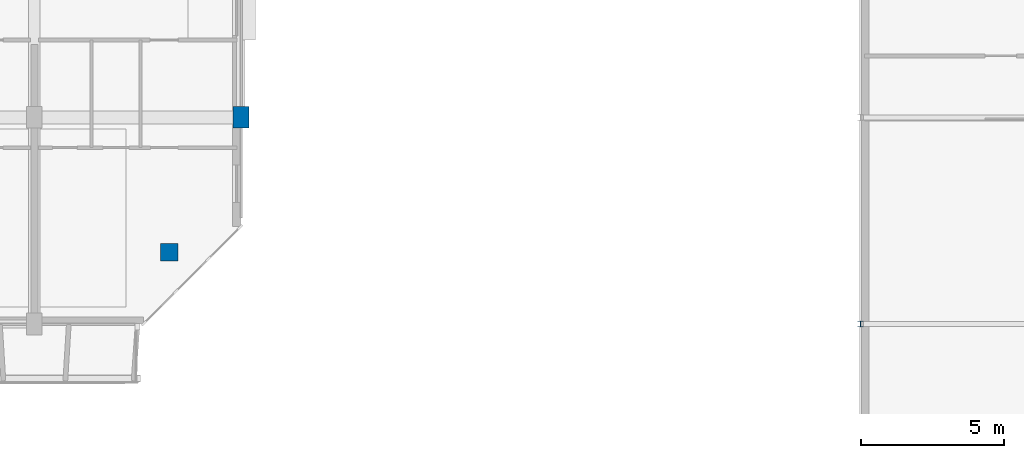
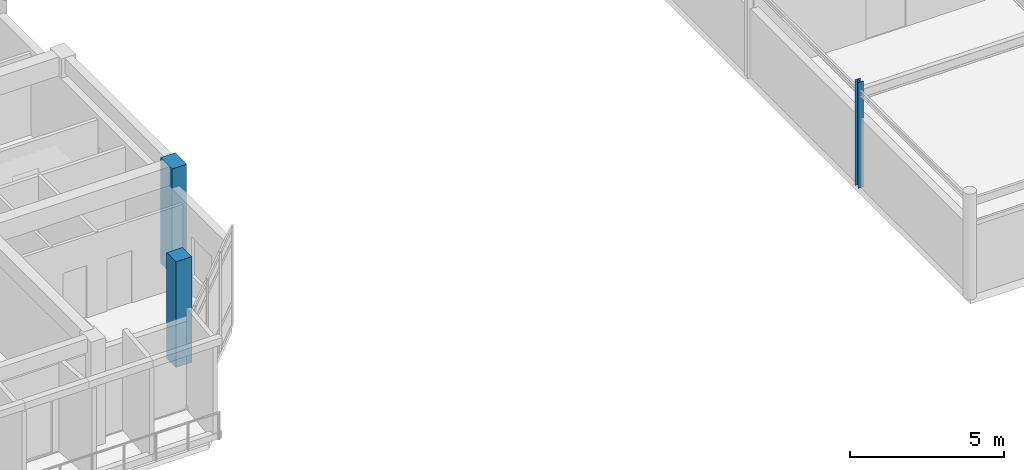
# One storey, part 2 of 85: 3 columns.
"""IFC4 building model written with IfcOpenShell, lengths in metres."""

import ifcopenshell
import ifcopenshell.guid

model = None  # the IFC model being written
_history = None  # IfcOwnerHistory: only IFC2X3 demands one
_inside = {}  # id of a spatial element -> (the spatial element, [elements in it])
_under = {}  # id of a project, library or spatial element -> (it, [spatial elements below it])
_declared = {}  # id of a project -> (the project, [libraries it declares])
_typed = {}  # id of a type object -> (the type object, [elements of that type])
_made_of = {}  # id of a material, layer set ... -> (it, [elements and type objects made of it])


def new_model(schema):
    """Start an empty IFC model of exactly this schema.

    Asked for "IFC4X3", IfcOpenShell would pick the latest addendum, in which some entities
    have other attributes; the version numbers below select the first issue.
    IFC2X3 requires an IfcOwnerHistory on every rooted entity: one is made here for all.
    """
    global model, _history
    if schema == "IFC4X3":
        model = ifcopenshell.file(schema_version=(4, 3, 0, 0))
    else:
        model = ifcopenshell.file(schema=schema)
    _inside.clear()
    _under.clear()
    _declared.clear()
    _typed.clear()
    _made_of.clear()
    _history = None
    if model.schema == "IFC2X3":
        org = make("IfcOrganization", Name="unknown")
        user = make(
            "IfcPersonAndOrganization",
            ThePerson=make("IfcPerson", FamilyName="unknown"),
            TheOrganization=org,
        )
        app = make(
            "IfcApplication",
            ApplicationDeveloper=org,
            Version="unknown",
            ApplicationFullName="unknown",
            ApplicationIdentifier="unknown",
        )
        _history = make(
            "IfcOwnerHistory",
            OwningUser=user,
            OwningApplication=app,
            ChangeAction="ADDED",
            CreationDate=0,
        )
    return model


def make(cls, **values):
    """One entity of the class cls with the attributes given. An attribute that is None is left unset."""
    return model.create_entity(
        cls, **{name: value for name, value in values.items() if value is not None}
    )


def rooted(cls, **values):
    """An entity with a GlobalId (a new one), such as an element, a storey or a relation."""
    return make(cls, GlobalId=ifcopenshell.guid.new(), OwnerHistory=_history, **values)


def si_unit(unit_type, name, prefix=None):
    """IfcSIUnit, for example si_unit("LENGTHUNIT", "METRE", prefix="MILLI")."""
    return make("IfcSIUnit", UnitType=unit_type, Prefix=prefix, Name=name)


def assignment(units):
    """IfcUnitAssignment: the units of a project."""
    return None if units is None else make("IfcUnitAssignment", Units=units)


def point(xyz):
    """IfcCartesianPoint."""
    return None if xyz is None else make("IfcCartesianPoint", Coordinates=xyz)


def direction(xyz):
    """IfcDirection."""
    return None if xyz is None else make("IfcDirection", DirectionRatios=xyz)


def frame(location, z_axis=None, x_axis=None):
    """IfcAxis2Placement3D, a coordinate frame: its origin and axes. An axis left out is left unset."""
    return make(
        "IfcAxis2Placement3D",
        Location=point(location),
        Axis=direction(z_axis),
        RefDirection=direction(x_axis),
    )


def frame_2d(location, x_axis=None):
    """IfcAxis2Placement2D, a coordinate frame in the plane: its origin and x axis."""
    return make(
        "IfcAxis2Placement2D", Location=point(location), RefDirection=direction(x_axis)
    )


def origin():
    """The frame at (0, 0, 0) with its axes left unset."""
    return frame((0.0, 0.0, 0.0))


def origin_2d():
    """The frame at (0, 0) in the plane with its x axis left unset."""
    return frame_2d((0.0, 0.0))


def place(relative_to, where):
    """IfcLocalPlacement: puts the frame where relative to a parent placement (None: the world)."""
    return make(
        "IfcLocalPlacement", PlacementRelTo=relative_to, RelativePlacement=where
    )


def context(
    kind, dimensions, precision=None, world=None, true_north=None, identifier=None
):
    """IfcGeometricRepresentationContext, for example the 3D "Model" context."""
    return make(
        "IfcGeometricRepresentationContext",
        ContextIdentifier=identifier,
        ContextType=kind,
        CoordinateSpaceDimension=dimensions,
        Precision=precision,
        WorldCoordinateSystem=world,
        TrueNorth=true_north,
    )


def subcontext(parent, identifier, kind, view, scale=None):
    """IfcGeometricRepresentationSubContext, for example "Body" below "Model"."""
    return make(
        "IfcGeometricRepresentationSubContext",
        ContextIdentifier=identifier,
        ContextType=kind,
        ParentContext=parent,
        TargetScale=scale,
        TargetView=view,
    )


def project(units=None, contexts=None):
    """IfcProject with its units and contexts."""
    return rooted(
        "IfcProject",
        Name="project",
        RepresentationContexts=contexts,
        UnitsInContext=assignment(units),
    )


def spatial(cls, under=None, at=None, **own):
    """A site, building, storey or space (cls), placed at a placement, below another one or the project."""
    s = rooted(cls, ObjectPlacement=at, **own)
    if under is not None:
        _under.setdefault(under.id(), (under, []))[1].append(s)
    return s


def profile(cls, at=None, kind="AREA", **sizes):
    """A parametric profile (cls). Its sizes go by their IFC names, for example OverallWidth=200.0."""
    return make(cls, ProfileType=kind, Position=at, **sizes)


def rectangle(**sizes):
    """IfcRectangleProfileDef."""
    return profile("IfcRectangleProfileDef", **sizes)


def i_section(**sizes):
    """IfcIShapeProfileDef."""
    return profile("IfcIShapeProfileDef", **sizes)


def extrude(swept, where, along, depth):
    """IfcExtrudedAreaSolid: the profile swept, set in the frame where, extruded along a direction by depth."""
    return make(
        "IfcExtrudedAreaSolid",
        SweptArea=swept,
        Position=where,
        ExtrudedDirection=direction(along),
        Depth=depth,
    )


def shape(context_of_items, identifier, shape_type, items):
    """IfcShapeRepresentation: the items that make up one representation, for example the "Body"."""
    return make(
        "IfcShapeRepresentation",
        ContextOfItems=context_of_items,
        RepresentationIdentifier=identifier,
        RepresentationType=shape_type,
        Items=items,
    )


def material(Name=None, Category=None):
    """IfcMaterial."""
    return make("IfcMaterial", Name=Name, Category=Category)


def material_profile(
    of_material, cross_section, Name=None, Category=None, Priority=None
):
    """IfcMaterialProfile: a cross section and its material."""
    return make(
        "IfcMaterialProfile",
        Name=Name,
        Material=of_material,
        Profile=cross_section,
        Priority=Priority,
        Category=Category,
    )


def profile_set(profiles, Name=None, composite=None):
    """IfcMaterialProfileSet."""
    return make(
        "IfcMaterialProfileSet",
        Name=Name,
        MaterialProfiles=profiles,
        CompositeProfile=composite,
    )


def made_of(thing, what):
    """Note that an element or type object is made of a material, layer set ...; save() writes the relation."""
    if what is not None:
        _made_of.setdefault(what.id(), (what, []))[1].append(thing)
    return thing


def type_object(cls, material=None, **own):
    """A type object (cls), such as IfcWallType, which elements share."""
    return made_of(rooted(cls, **own), material)


def element(
    cls,
    number,
    at=None,
    inside=None,
    cuts=None,
    type_object=None,
    material=None,
    context=None,
    identifier="Body",
    shape_type=None,
    held_by="IfcProductDefinitionShape",
    body=None,
    shapes=None,
    **own,
):
    """One element of the class cls, such as IfcWall. Its Tag is "e" and its number.

    at: its placement. inside: the storey or other place that contains it. cuts: it is an
    opening in that element (IfcRelVoidsElement). A single representation is given by context,
    identifier, shape_type and body (its items); several are given by shapes. held_by: the class
    of the entity that holds the representations. save() writes the other relations.
    """
    e = rooted(cls, Tag="e%d" % number, ObjectPlacement=at, **own)
    if body is not None:
        shapes = [shape(context, identifier, shape_type, body)]
    if shapes is not None:
        e.Representation = make(held_by, Representations=shapes)
    if inside is not None:
        _inside.setdefault(inside.id(), (inside, []))[1].append(e)
    if cuts is not None:
        rooted(
            "IfcRelVoidsElement", RelatingBuildingElement=cuts, RelatedOpeningElement=e
        )
    if type_object is not None:
        _typed.setdefault(type_object.id(), (type_object, []))[1].append(e)
    return made_of(e, material)


def aggregate(whole, parts):
    """IfcRelAggregates: a whole, such as a stair, and the parts it consists of."""
    return rooted("IfcRelAggregates", RelatingObject=whole, RelatedObjects=parts)


def save(model, path):
    """Write the relations noted so far, then the file.

    IfcRelAggregates (storeys below a building ...), IfcRelContainedInSpatialStructure (elements
    in a storey), IfcRelDefinesByType, IfcRelAssociatesMaterial and IfcRelDeclares: one each for
    every whole, place, type object, material and project.
    """
    for whole, parts in _under.values():
        aggregate(whole, parts)
    for where, things in _inside.values():
        rooted(
            "IfcRelContainedInSpatialStructure",
            RelatedElements=things,
            RelatingStructure=where,
        )
    for kind, things in _typed.values():
        rooted("IfcRelDefinesByType", RelatedObjects=things, RelatingType=kind)
    for what, things in _made_of.values():
        rooted("IfcRelAssociatesMaterial", RelatedObjects=things, RelatingMaterial=what)
    for by, libraries in _declared.values():
        rooted("IfcRelDeclares", RelatingContext=by, RelatedDefinitions=libraries)
    model.write(path)


model = new_model("IFC4")

# Units and contexts
model_context = context("Model", 3, precision=1e-05, world=origin(), true_north=direction((0.0, 1.0)))
body_context = subcontext(model_context, "Body", "Model", "MODEL_VIEW")
ifc_project = project(units=[si_unit("LENGTHUNIT", "METRE"), si_unit("AREAUNIT", "SQUARE_METRE"), si_unit("VOLUMEUNIT", "CUBIC_METRE"), si_unit("PLANEANGLEUNIT", "RADIAN"), si_unit("MASSUNIT", "GRAM", prefix="KILO")], contexts=[model_context])

# Site, building, storey
site_placement = place(None, origin())
site = spatial("IfcSite", under=ifc_project, at=site_placement, CompositionType="ELEMENT")
building_placement = place(site_placement, origin())
building = spatial("IfcBuilding", under=site, at=building_placement, Name="Ochrevale Crest", CompositionType="ELEMENT")
storey_placement = place(building_placement, frame((0.0, 0.0, 4.5)))
storey = spatial("IfcBuildingStorey", under=building, at=storey_placement, Name="L01", CompositionType="ELEMENT", Elevation=4.5)

# Columns
ifc_material_1 = material(Name="Precast concrete C50/60", Category="concrete")
ifc_material_profile_1 = material_profile(ifc_material_1, rectangle(XDim=0.550048828125, YDim=0.75, at=origin_2d()), Name="RC 550x750")
ifc_profile_set_1 = profile_set([ifc_material_profile_1], Name="Precast concrete C50/60")
column_type_1 = type_object("IfcColumnType", Name="COL-RC550x750", PredefinedType="COLUMN", material=ifc_profile_set_1)
column_1_placement = place(storey_placement, frame((36.0, 21.60009765625, 0.0), z_axis=(0.0, 0.0, 1.0), x_axis=(1.0, 0.0, 0.0)))
element("IfcColumn", 1, at=column_1_placement, inside=storey, type_object=column_type_1, Name="Block A L01 column (36.0,21.6)", PredefinedType="COLUMN", context=body_context, shape_type="SweptSolid", body=[
    extrude(rectangle(XDim=0.550048828125, YDim=0.75, at=origin_2d()), origin(), (0.0, 0.0, 1.0), 4.199951171875),
])
ifc_material_profile_2 = material_profile(ifc_material_1, rectangle(XDim=0.60009765625, YDim=0.60009765625, at=origin_2d()), Name="RC 600x600")
ifc_profile_set_2 = profile_set([ifc_material_profile_2], Name="Precast concrete C50/60")
column_type_2 = type_object("IfcColumnType", Name="COL-RC600x600", PredefinedType="COLUMN", material=ifc_profile_set_2)
column_2_placement = place(storey_placement, frame((33.5, 16.89990234375, 0.0), z_axis=(0.0, 0.0, 1.0), x_axis=(1.0, 0.0, 0.0)))
element("IfcColumn", 2, at=column_2_placement, inside=storey, type_object=column_type_2, Name="Block A L01 column (33.5,16.9)", PredefinedType="COLUMN", context=body_context, shape_type="SweptSolid", body=[
    extrude(rectangle(XDim=0.60009765625, YDim=0.60009765625, at=origin_2d()), origin(), (0.0, 0.0, 1.0), 4.199951171875),
])
ifc_material_2 = material(Name="Steel S355", Category="steel")
ifc_material_profile_3 = material_profile(ifc_material_2, i_section(OverallWidth=0.203125, OverallDepth=0.203369140625, WebThickness=0.00732421875, FlangeThickness=0.010986328125, FilletRadius=0.01025390625, at=origin_2d()), Name="200UC46.2")
ifc_profile_set_3 = profile_set([ifc_material_profile_3], Name="Steel S355")
column_type_3 = type_object("IfcColumnType", Name="COL-UC200A", PredefinedType="COLUMN", material=ifc_profile_set_3)
column_3_placement = place(storey_placement, frame((57.60009765625, 14.39990234375, 0.0), z_axis=(0.0, 0.0, 1.0), x_axis=(1.0, 0.0, 0.0)))
element("IfcColumn", 3, at=column_3_placement, inside=storey, type_object=column_type_3, Name="Retail arcade L01 column (57.6,14.4)", PredefinedType="COLUMN", context=body_context, shape_type="SweptSolid", body=[
    extrude(i_section(OverallWidth=0.203125, OverallDepth=0.203369140625, WebThickness=0.00732421875, FlangeThickness=0.010986328125, FilletRadius=0.01025390625, at=origin_2d()), origin(), (0.0, 0.0, 1.0), 4.199951171875),
])

save(model, "model.ifc")
